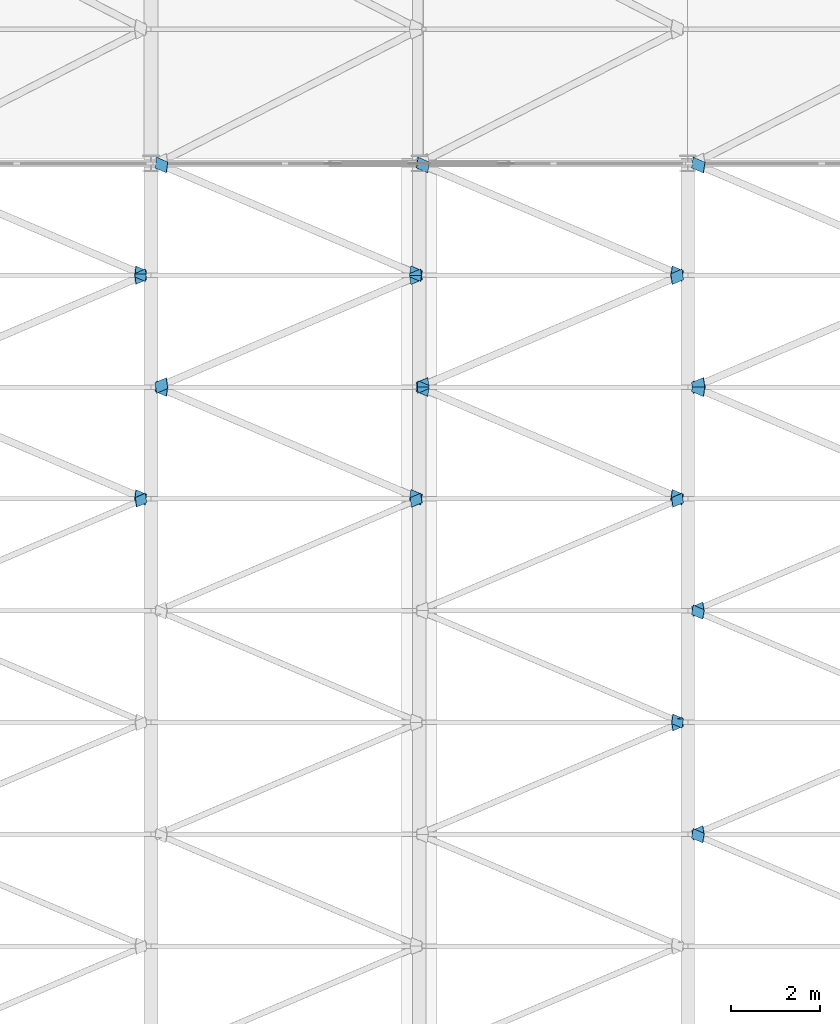
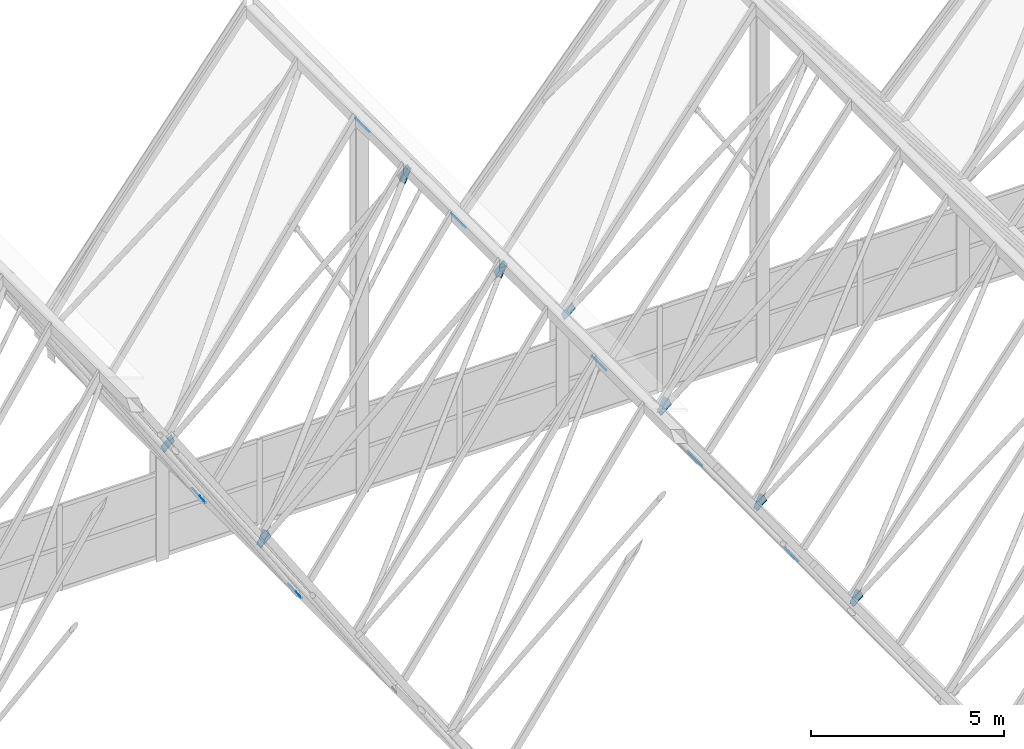
# One storey, part 426 of 483: 27 discrete accessories.
"""IFC4 building model written with IfcOpenShell, lengths in metres."""

from ifc_helpers import new_model, si_unit, direction, frame, origin, place, context, subcontext, project, spatial, polyline, outline, extrude, material, layer, layer_set, type_object, element, save


model = new_model("IFC4")

# Units and contexts
model_context = context("Model", 3, precision=1e-05, world=origin(), true_north=direction((0.0, 1.0)))
body_context = subcontext(model_context, "Body", "Model", "MODEL_VIEW")
ifc_project = project(units=[si_unit("LENGTHUNIT", "METRE"), si_unit("AREAUNIT", "SQUARE_METRE"), si_unit("VOLUMEUNIT", "CUBIC_METRE"), si_unit("PLANEANGLEUNIT", "RADIAN"), si_unit("MASSUNIT", "GRAM", prefix="KILO")], contexts=[model_context])

# Site, building, storey
site_placement = place(None, origin())
site = spatial("IfcSite", under=ifc_project, at=site_placement, CompositionType="ELEMENT")
building_placement = place(site_placement, origin())
building = spatial("IfcBuilding", under=site, at=building_placement, Name="Parallax Yard Mobility Hub", CompositionType="ELEMENT")
storey_placement = place(building_placement, frame((0.0, 0.0, 13.199951171875)))
storey = spatial("IfcBuildingStorey", under=building, at=storey_placement, Name="L04", CompositionType="ELEMENT", Elevation=13.199951171875)

# Discrete accessories
ifc_material = material(Name="Steel ASTM A36", Category="steel")
ifc_layer = layer(ifc_material, 0.011962890625)
ifc_layer_set = layer_set([ifc_layer], Name="Gusset plate PL12")
discrete_accessory_type = type_object("IfcDiscreteAccessoryType", Name="Gusset plate PL12", PredefinedType="BRACKET", material=ifc_layer_set)
discrete_accessory_1_placement = place(storey_placement, frame((69.369140625, 37.520751953125, 3.6923828125), z_axis=(-0.793746279753, -0.000395732461, 0.60824886911), x_axis=(-0.588727021511, 0.251817570299, -0.768107027328)))
element("IfcDiscreteAccessory", 1, at=discrete_accessory_1_placement, inside=storey, type_object=discrete_accessory_type, Name="Gusset plate PL12 at end 2 of Plate diagonal plate F11-F12 bay 12", PredefinedType="BRACKET", context=body_context, shape_type="SweptSolid", body=[
    extrude(outline(polyline([(0.0, 0.0), (0.41979934980703304, -4.163336342344337e-17), (0.41984097338065895, 0.2197380657558558), (-0.00010210860936022553, 0.21970074549524257), (0.0, 0.0)])), origin(), (0.0, 0.0, -1.0), 0.011962890625),
])
discrete_accessory_2_placement = place(storey_placement, frame((68.672607421875, 39.81201171875, 3.658935546875), z_axis=(0.817166710519, -0.000464958066, 0.576401206656), x_axis=(0.559680620735, 0.239755623166, -0.793268456409)))
element("IfcDiscreteAccessory", 2, at=discrete_accessory_2_placement, inside=storey, type_object=discrete_accessory_type, Name="Gusset plate PL12 at end 2 of Plate diagonal plate F10-F11 bay 13", PredefinedType="BRACKET", context=body_context, shape_type="SweptSolid", body=[
    extrude(outline(polyline([(0.0, 0.0), (0.41953539550227437, -1.3877787807814457e-17), (0.419606443774865, 0.21952041550170728), (-6.408669646303794e-05, 0.2198053309563326), (0.0, 0.0)])), origin(), (0.0, 0.0, -1.0), 0.011962890625),
])
discrete_accessory_3_placement = place(storey_placement, frame((69.335693359375, 37.69189453125, 3.6484375), z_axis=(-0.793746279753, 0.000395732461, 0.60824886911), x_axis=(-0.588740604162, -0.251731563359, -0.768124808231)))
element("IfcDiscreteAccessory", 3, at=discrete_accessory_3_placement, inside=storey, type_object=discrete_accessory_type, Name="Gusset plate PL12 at end 1 of Plate diagonal plate F11-F12 bay 13", PredefinedType="BRACKET", context=body_context, shape_type="SweptSolid", body=[
    extrude(outline(polyline([(0.0, 0.0), (0.4199430836483414, 0.0), (0.4198819319954805, 0.21973806118904854), (8.258384620210557e-05, 0.21970075370203399), (0.0, 0.0)])), origin(), (0.0, 0.0, -1.0), 0.011962890625),
])
discrete_accessory_4_placement = place(storey_placement, frame((68.642333984375, 39.974609375, 3.7021484375), z_axis=(0.817166710519, 0.000464958066, 0.576401206656), x_axis=(0.559774062579, -0.239096466815, -0.793401461065)))
element("IfcDiscreteAccessory", 4, at=discrete_accessory_4_placement, inside=storey, type_object=discrete_accessory_type, Name="Gusset plate PL12 at end 1 of Plate diagonal plate F10-F11 bay 14", PredefinedType="BRACKET", context=body_context, shape_type="SweptSolid", body=[
    extrude(outline(polyline([(0.0, 0.0), (0.41967062718625203, 1.3877787807814457e-17), (0.4197486118976303, 0.21952041314712403), (0.00021331307911515163, 0.21980523679261565), (0.0, 0.0)])), origin(), (0.0, 0.0, -1.0), 0.011962890625),
])
discrete_accessory_5_placement = place(storey_placement, frame((69.369140625, 42.520751953125, 3.6923828125), z_axis=(-0.793746279753, -0.000395732461, 0.60824886911), x_axis=(-0.588727021511, 0.251817570299, -0.768107027328)))
element("IfcDiscreteAccessory", 5, at=discrete_accessory_5_placement, inside=storey, type_object=discrete_accessory_type, Name="Gusset plate PL12 at end 2 of Plate diagonal plate F11-F12 bay 14", PredefinedType="BRACKET", context=body_context, shape_type="SweptSolid", body=[
    extrude(outline(polyline([(0.0, 0.0), (0.41979934980703304, -4.163336342344337e-17), (0.41984097338065895, 0.2197380657558558), (-0.00010210860936022553, 0.21970074549524257), (0.0, 0.0)])), origin(), (0.0, 0.0, -1.0), 0.011962890625),
])
discrete_accessory_6_placement = place(storey_placement, frame((68.672607421875, 44.81201171875, 3.658935546875), z_axis=(0.817166710519, -0.000464958066, 0.576401206656), x_axis=(0.559680620735, 0.239755623166, -0.793268456409)))
element("IfcDiscreteAccessory", 6, at=discrete_accessory_6_placement, inside=storey, type_object=discrete_accessory_type, Name="Gusset plate PL12 at end 2 of Plate diagonal plate F10-F11 bay 15", PredefinedType="BRACKET", context=body_context, shape_type="SweptSolid", body=[
    extrude(outline(polyline([(0.0, 0.0), (0.41953539550227437, -1.3877787807814457e-17), (0.419606443774865, 0.21952041550170728), (-6.408669646303794e-05, 0.2198053309563326), (0.0, 0.0)])), origin(), (0.0, 0.0, -1.0), 0.011962890625),
])
discrete_accessory_7_placement = place(storey_placement, frame((69.335693359375, 42.69189453125, 3.6484375), z_axis=(-0.793746279753, 0.000395732461, 0.60824886911), x_axis=(-0.588740604162, -0.251731563359, -0.768124808231)))
element("IfcDiscreteAccessory", 7, at=discrete_accessory_7_placement, inside=storey, type_object=discrete_accessory_type, Name="Gusset plate PL12 at end 1 of Plate diagonal plate F11-F12 bay 15", PredefinedType="BRACKET", context=body_context, shape_type="SweptSolid", body=[
    extrude(outline(polyline([(0.0, 0.0), (0.4199430836483414, 0.0), (0.4198819319954805, 0.21973806118904854), (8.258384620210557e-05, 0.21970075370203399), (0.0, 0.0)])), origin(), (0.0, 0.0, -1.0), 0.011962890625),
])
discrete_accessory_8_placement = place(storey_placement, frame((56.680419921875, 44.815673828125, 3.668212890625), z_axis=(0.837151551627, 0.000426998738, 0.546970837688), x_axis=(0.532485273624, 0.227980657615, -0.815159035481)))
element("IfcDiscreteAccessory", 8, at=discrete_accessory_8_placement, inside=storey, type_object=discrete_accessory_type, Name="Gusset plate PL12 at end 2 of Plate diagonal plate F8-F9 bay 15", PredefinedType="BRACKET", context=body_context, shape_type="SweptSolid", body=[
    extrude(outline(polyline([(0.0, 0.0), (0.41978647726953044, -1.3877787807814457e-17), (0.4197536040571519, 0.21965921045119582), (3.6138936512303266e-05, 0.21964319967298013), (0.0, 0.0)])), origin(), (0.0, 0.0, -1.0), 0.011962890625),
])
discrete_accessory_9_placement = place(storey_placement, frame((62.824951171875, 44.81201171875, 11.4501953125), z_axis=(-0.817216414757, 0.000113800611, 0.57633091059), x_axis=(0.559559267154, 0.239644913639, 0.793387510558)))
element("IfcDiscreteAccessory", 9, at=discrete_accessory_9_placement, inside=storey, type_object=discrete_accessory_type, Name="Gusset plate PL12 at end 2 of Plate diagonal plate F9-F10 bay 15", PredefinedType="BRACKET", context=body_context, shape_type="SweptSolid", body=[
    extrude(outline(polyline([(0.0, 0.0), (0.41972907319877845, -1.3877787807814457e-17), (0.41977508360439614, 0.2195204334354663), (0.00010451746461155598, 0.2197574599488595), (0.0, 0.0)])), origin(), (0.0, 0.0, -1.0), 0.011962890625),
])
discrete_accessory_10_placement = place(storey_placement, frame((68.624267578125, 44.967529296875, 3.7275390625), z_axis=(0.817206306377, -0.000126362615, 0.576345241024), x_axis=(0.559610016294, -0.239055038447, -0.793529658082)))
element("IfcDiscreteAccessory", 10, at=discrete_accessory_10_placement, inside=storey, type_object=discrete_accessory_type, Name="Gusset plate PL12 at end 1 of Plate diagonal plate F10-F11 bay 16", PredefinedType="BRACKET", context=body_context, shape_type="SweptSolid", body=[
    extrude(outline(polyline([(0.0, 0.0), (0.44833910411490974, 1.3877787807814457e-17), (0.4484149052117087, 0.24818065210130974), (0.00015406158943741255, 0.24845137586030303), (0.0, 0.0)])), origin(), (0.0, 0.0, -1.0), 0.011962890625),
])
discrete_accessory_11_placement = place(storey_placement, frame((63.223388671875, 47.532470703125, 11.3818359375), z_axis=(0.817026290384, -0.000463049086, 0.576600231015), x_axis=(-0.559791907884, 0.239055060701, 0.793401347252)))
element("IfcDiscreteAccessory", 11, at=discrete_accessory_11_placement, inside=storey, type_object=discrete_accessory_type, Name="Gusset plate PL12 at end 2 of Plate diagonal plate F10-F11 bay 16", PredefinedType="BRACKET", context=body_context, shape_type="SweptSolid", body=[
    extrude(outline(polyline([(0.0, 0.0), (0.4483391152095303, 1.3877787807814457e-17), (0.4485515620363251, 0.24821433387914948), (0.0001540837748658097, 0.2484513958671712), (0.0, 0.0)])), origin(), (0.0, 0.0, -1.0), 0.011962890625),
])
discrete_accessory_12_placement = place(storey_placement, frame((69.38818359375, 47.527587890625, 3.717041015625), z_axis=(-0.793562548739, 0.000276717844, 0.608488623284), x_axis=(-0.588849048877, 0.251663515801, -0.768063976796)))
element("IfcDiscreteAccessory", 12, at=discrete_accessory_12_placement, inside=storey, type_object=discrete_accessory_type, Name="Gusset plate PL12 at end 2 of Plate diagonal plate F11-F12 bay 16", PredefinedType="BRACKET", context=body_context, shape_type="SweptSolid", body=[
    extrude(outline(polyline([(0.0, 0.0), (0.44818959311966156, 1.3877787807814457e-17), (0.4481624632002684, 0.24846871469658677), (-2.7129919393138746e-05, 0.24846871469658674), (0.0, 0.0)])), origin(), (0.0, 0.0, -1.0), 0.011962890625),
])
discrete_accessory_13_placement = place(storey_placement, frame((56.635986328125, 44.962890625, 3.736083984375), z_axis=(0.837033767538, 0.000540959891, 0.547150965788), x_axis=(0.532877992062, -0.227725287398, -0.814973765869)))
element("IfcDiscreteAccessory", 13, at=discrete_accessory_13_placement, inside=storey, type_object=discrete_accessory_type, Name="Gusset plate PL12 at end 1 of Plate diagonal plate F8-F9 bay 16", PredefinedType="BRACKET", context=body_context, shape_type="SweptSolid", body=[
    extrude(outline(polyline([(0.0, 0.0), (0.4481310058861647, 0.0), (0.44835552481307284, 0.2485243799266048), (-0.00010454644368060317, 0.24844746067276932), (0.0, 0.0)])), origin(), (0.0, 0.0, -1.0), 0.011962890625),
])
discrete_accessory_14_placement = place(storey_placement, frame((62.776611328125, 44.967529296875, 11.3818359375), z_axis=(-0.817026290384, 0.000463049086, 0.576600231015), x_axis=(0.559791907884, -0.239055060701, 0.793401347252)))
element("IfcDiscreteAccessory", 14, at=discrete_accessory_14_placement, inside=storey, type_object=discrete_accessory_type, Name="Gusset plate PL12 at end 1 of Plate diagonal plate F9-F10 bay 16", PredefinedType="BRACKET", context=body_context, shape_type="SweptSolid", body=[
    extrude(outline(polyline([(0.0, 0.0), (0.4483391152095303, 1.3877787807814457e-17), (0.4485515620363251, 0.24821433387914948), (0.0001540837748658097, 0.2484513958671712), (0.0, 0.0)])), origin(), (0.0, 0.0, -1.0), 0.011962890625),
])
discrete_accessory_15_placement = place(storey_placement, frame((57.375732421875, 47.532470703125, 3.7275390625), z_axis=(-0.817206306377, 0.000126362615, 0.576345241024), x_axis=(-0.559610016294, 0.239055038447, -0.793529658082)))
element("IfcDiscreteAccessory", 15, at=discrete_accessory_15_placement, inside=storey, type_object=discrete_accessory_type, Name="Gusset plate PL12 at end 2 of Plate diagonal plate F9-F10 bay 16", PredefinedType="BRACKET", context=body_context, shape_type="SweptSolid", body=[
    extrude(outline(polyline([(0.0, 0.0), (0.44833910411490974, 1.3877787807814457e-17), (0.4484149052117087, 0.24818065210130974), (0.00015406158943741255, 0.24845137586030303), (0.0, 0.0)])), origin(), (0.0, 0.0, -1.0), 0.011962890625),
])
discrete_accessory_16_placement = place(storey_placement, frame((63.18896484375, 47.708740234375, 11.430419921875), z_axis=(0.817026290384, 0.000463049086, 0.576600231015), x_axis=(-0.559718761613, -0.239568385571, 0.79329811328)))
element("IfcDiscreteAccessory", 16, at=discrete_accessory_16_placement, inside=storey, type_object=discrete_accessory_type, Name="Gusset plate PL12 at end 1 of Plate diagonal plate F10-F11 bay 17", PredefinedType="BRACKET", context=body_context, shape_type="SweptSolid", body=[
    extrude(outline(polyline([(0.0, 0.0), (0.4483975409272692, 0.0), (0.448316321842349, 0.248214411507842), (-2.2730709536691873e-05, 0.2484514426069415), (0.0, 0.0)])), origin(), (0.0, 0.0, -1.0), 0.011962890625),
])
discrete_accessory_17_placement = place(storey_placement, frame((68.65869140625, 49.791259765625, 3.678955078125), z_axis=(0.817206306377, 0.000126362615, 0.576345241024), x_axis=(0.559526643566, 0.239641426507, -0.793411571532)))
element("IfcDiscreteAccessory", 17, at=discrete_accessory_17_placement, inside=storey, type_object=discrete_accessory_type, Name="Gusset plate PL12 at end 2 of Plate diagonal plate F10-F11 bay 17", PredefinedType="BRACKET", context=body_context, shape_type="SweptSolid", body=[
    extrude(outline(polyline([(0.0, 0.0), (0.44826092537305107, -2.7755575615628914e-17), (0.44833501109760987, 0.24818065261930278), (-4.0112522624036195e-06, 0.24845142359374953), (0.0, 0.0)])), origin(), (0.0, 0.0, -1.0), 0.011962890625),
])
discrete_accessory_18_placement = place(storey_placement, frame((69.35009765625, 47.712890625, 3.66748046875), z_axis=(-0.793562548739, -0.000276717844, 0.608488623284), x_axis=(-0.588849048877, -0.251663515801, -0.768063976796)))
element("IfcDiscreteAccessory", 18, at=discrete_accessory_18_placement, inside=storey, type_object=discrete_accessory_type, Name="Gusset plate PL12 at end 1 of Plate diagonal plate F11-F12 bay 17", PredefinedType="BRACKET", context=body_context, shape_type="SweptSolid", body=[
    extrude(outline(polyline([(0.0, 0.0), (0.44818959311966156, -1.3877787807814457e-17), (0.44821672303905474, 0.2484687146965867), (2.7129919393138746e-05, 0.24846871469658674), (0.0, 0.0)])), origin(), (0.0, 0.0, -1.0), 0.011962890625),
])
discrete_accessory_19_placement = place(storey_placement, frame((56.666748046875, 49.795166015625, 3.688720703125), z_axis=(0.837033767538, -0.000540959891, 0.547150965788), x_axis=(0.532899279846, 0.227558272034, -0.815006497133)))
element("IfcDiscreteAccessory", 19, at=discrete_accessory_19_placement, inside=storey, type_object=discrete_accessory_type, Name="Gusset plate PL12 at end 2 of Plate diagonal plate F8-F9 bay 17", PredefinedType="BRACKET", context=body_context, shape_type="SweptSolid", body=[
    extrude(outline(polyline([(0.0, 0.0), (0.44846007785329556, 2.7755575615628914e-17), (0.4481929323709216, 0.24852433776180394), (6.193307645872143e-05, 0.2484474749499382), (0.0, 0.0)])), origin(), (0.0, 0.0, -1.0), 0.011962890625),
])
discrete_accessory_20_placement = place(storey_placement, frame((57.34130859375, 47.708740234375, 3.678955078125), z_axis=(-0.817206306377, -0.000126362615, 0.576345241024), x_axis=(-0.559526643566, -0.239641426507, -0.793411571532)))
element("IfcDiscreteAccessory", 20, at=discrete_accessory_20_placement, inside=storey, type_object=discrete_accessory_type, Name="Gusset plate PL12 at end 1 of Plate diagonal plate F9-F10 bay 17", PredefinedType="BRACKET", context=body_context, shape_type="SweptSolid", body=[
    extrude(outline(polyline([(0.0, 0.0), (0.44826092537305107, -2.7755575615628914e-17), (0.44833501109760987, 0.24818065261930278), (-4.0112522624036195e-06, 0.24845142359374953), (0.0, 0.0)])), origin(), (0.0, 0.0, -1.0), 0.011962890625),
])
discrete_accessory_21_placement = place(storey_placement, frame((62.81103515625, 49.791259765625, 11.430419921875), z_axis=(-0.817026290384, -0.000463049086, 0.576600231015), x_axis=(0.559718761613, 0.239568385571, 0.79329811328)))
element("IfcDiscreteAccessory", 21, at=discrete_accessory_21_placement, inside=storey, type_object=discrete_accessory_type, Name="Gusset plate PL12 at end 2 of Plate diagonal plate F9-F10 bay 17", PredefinedType="BRACKET", context=body_context, shape_type="SweptSolid", body=[
    extrude(outline(polyline([(0.0, 0.0), (0.4483975409272692, 0.0), (0.448316321842349, 0.248214411507842), (-2.2730709536691873e-05, 0.2484514426069415), (0.0, 0.0)])), origin(), (0.0, 0.0, -1.0), 0.011962890625),
])
discrete_accessory_22_placement = place(storey_placement, frame((68.624267578125, 49.967529296875, 3.7275390625), z_axis=(0.817206306377, -0.000126362615, 0.576345241024), x_axis=(0.559610016294, -0.239055038447, -0.793529658082)))
element("IfcDiscreteAccessory", 22, at=discrete_accessory_22_placement, inside=storey, type_object=discrete_accessory_type, Name="Gusset plate PL12 at end 1 of Plate diagonal plate F10-F11 bay 18", PredefinedType="BRACKET", context=body_context, shape_type="SweptSolid", body=[
    extrude(outline(polyline([(0.0, 0.0), (0.44833910411490974, 1.3877787807814457e-17), (0.4484149052117087, 0.24818065210130974), (0.00015406158943741255, 0.24845137586030303), (0.0, 0.0)])), origin(), (0.0, 0.0, -1.0), 0.011962890625),
])
discrete_accessory_23_placement = place(storey_placement, frame((63.223388671875, 52.532470703125, 11.3818359375), z_axis=(0.817026290384, -0.000463049086, 0.576600231015), x_axis=(-0.559791907884, 0.239055060701, 0.793401347252)))
element("IfcDiscreteAccessory", 23, at=discrete_accessory_23_placement, inside=storey, type_object=discrete_accessory_type, Name="Gusset plate PL12 at end 2 of Plate diagonal plate F10-F11 bay 18", PredefinedType="BRACKET", context=body_context, shape_type="SweptSolid", body=[
    extrude(outline(polyline([(0.0, 0.0), (0.4483391152095303, 1.3877787807814457e-17), (0.4485515620363251, 0.24821433387914948), (0.0001540837748658097, 0.2484513958671712), (0.0, 0.0)])), origin(), (0.0, 0.0, -1.0), 0.011962890625),
])
discrete_accessory_24_placement = place(storey_placement, frame((69.38818359375, 52.527587890625, 3.717041015625), z_axis=(-0.793562548739, 0.000276717844, 0.608488623284), x_axis=(-0.588849048877, 0.251663515801, -0.768063976796)))
element("IfcDiscreteAccessory", 24, at=discrete_accessory_24_placement, inside=storey, type_object=discrete_accessory_type, Name="Gusset plate PL12 at end 2 of Plate diagonal plate F11-F12 bay 18", PredefinedType="BRACKET", context=body_context, shape_type="SweptSolid", body=[
    extrude(outline(polyline([(0.0, 0.0), (0.44818959311966156, 1.3877787807814457e-17), (0.4481624632002684, 0.24846871469658677), (-2.7129919393138746e-05, 0.24846871469658674), (0.0, 0.0)])), origin(), (0.0, 0.0, -1.0), 0.011962890625),
])
discrete_accessory_25_placement = place(storey_placement, frame((56.635986328125, 49.962890625, 3.736083984375), z_axis=(0.837033767538, 0.000540959891, 0.547150965788), x_axis=(0.532877992062, -0.227725287398, -0.814973765869)))
element("IfcDiscreteAccessory", 25, at=discrete_accessory_25_placement, inside=storey, type_object=discrete_accessory_type, Name="Gusset plate PL12 at end 1 of Plate diagonal plate F8-F9 bay 18", PredefinedType="BRACKET", context=body_context, shape_type="SweptSolid", body=[
    extrude(outline(polyline([(0.0, 0.0), (0.4481310058861647, 0.0), (0.44835552481307284, 0.2485243799266048), (-0.00010454644368060317, 0.24844746067276932), (0.0, 0.0)])), origin(), (0.0, 0.0, -1.0), 0.011962890625),
])
discrete_accessory_26_placement = place(storey_placement, frame((62.776611328125, 49.967529296875, 11.3818359375), z_axis=(-0.817026290384, 0.000463049086, 0.576600231015), x_axis=(0.559791907884, -0.239055060701, 0.793401347252)))
element("IfcDiscreteAccessory", 26, at=discrete_accessory_26_placement, inside=storey, type_object=discrete_accessory_type, Name="Gusset plate PL12 at end 1 of Plate diagonal plate F9-F10 bay 18", PredefinedType="BRACKET", context=body_context, shape_type="SweptSolid", body=[
    extrude(outline(polyline([(0.0, 0.0), (0.4483391152095303, 1.3877787807814457e-17), (0.4485515620363251, 0.24821433387914948), (0.0001540837748658097, 0.2484513958671712), (0.0, 0.0)])), origin(), (0.0, 0.0, -1.0), 0.011962890625),
])
discrete_accessory_27_placement = place(storey_placement, frame((57.375732421875, 52.532470703125, 3.7275390625), z_axis=(-0.817206306377, 0.000126362615, 0.576345241024), x_axis=(-0.559610016294, 0.239055038447, -0.793529658082)))
element("IfcDiscreteAccessory", 27, at=discrete_accessory_27_placement, inside=storey, type_object=discrete_accessory_type, Name="Gusset plate PL12 at end 2 of Plate diagonal plate F9-F10 bay 18", PredefinedType="BRACKET", context=body_context, shape_type="SweptSolid", body=[
    extrude(outline(polyline([(0.0, 0.0), (0.44833910411490974, 1.3877787807814457e-17), (0.4484149052117087, 0.24818065210130974), (0.00015406158943741255, 0.24845137586030303), (0.0, 0.0)])), origin(), (0.0, 0.0, -1.0), 0.011962890625),
])

save(model, "model.ifc")
